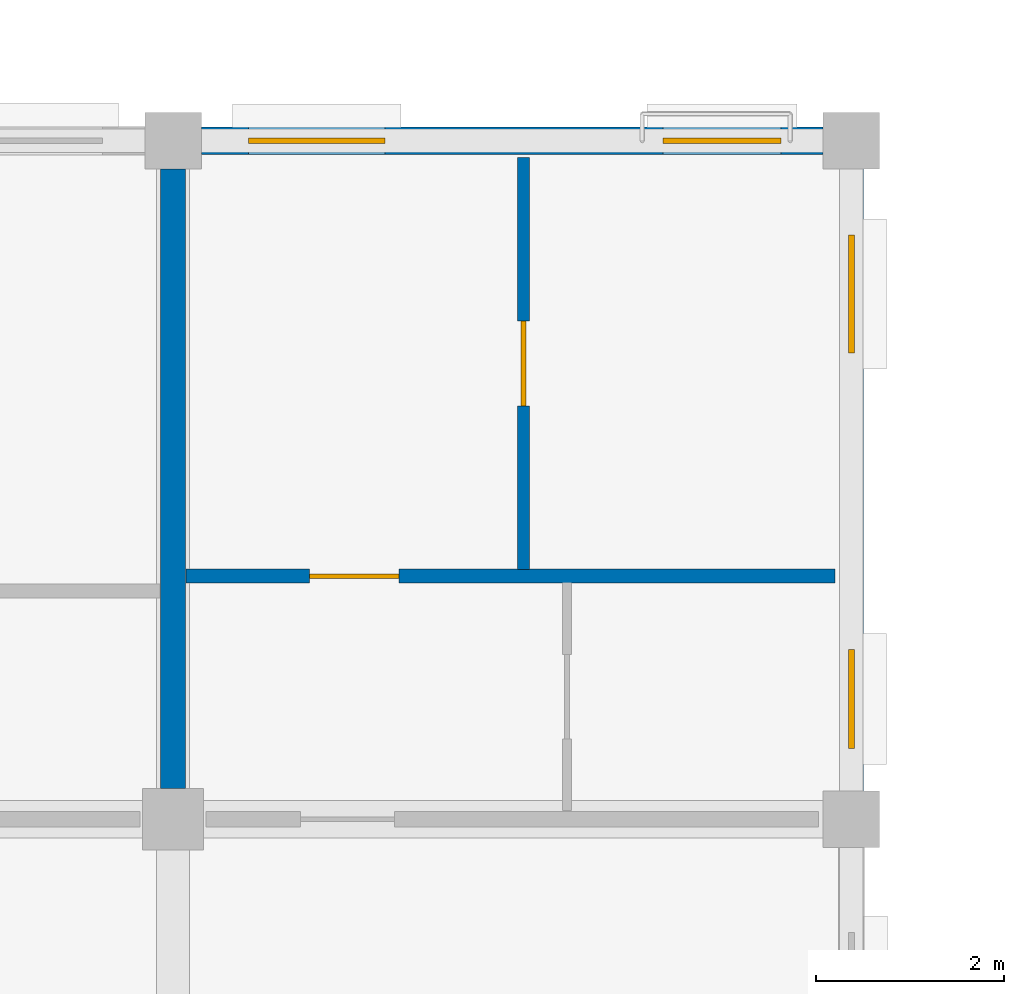
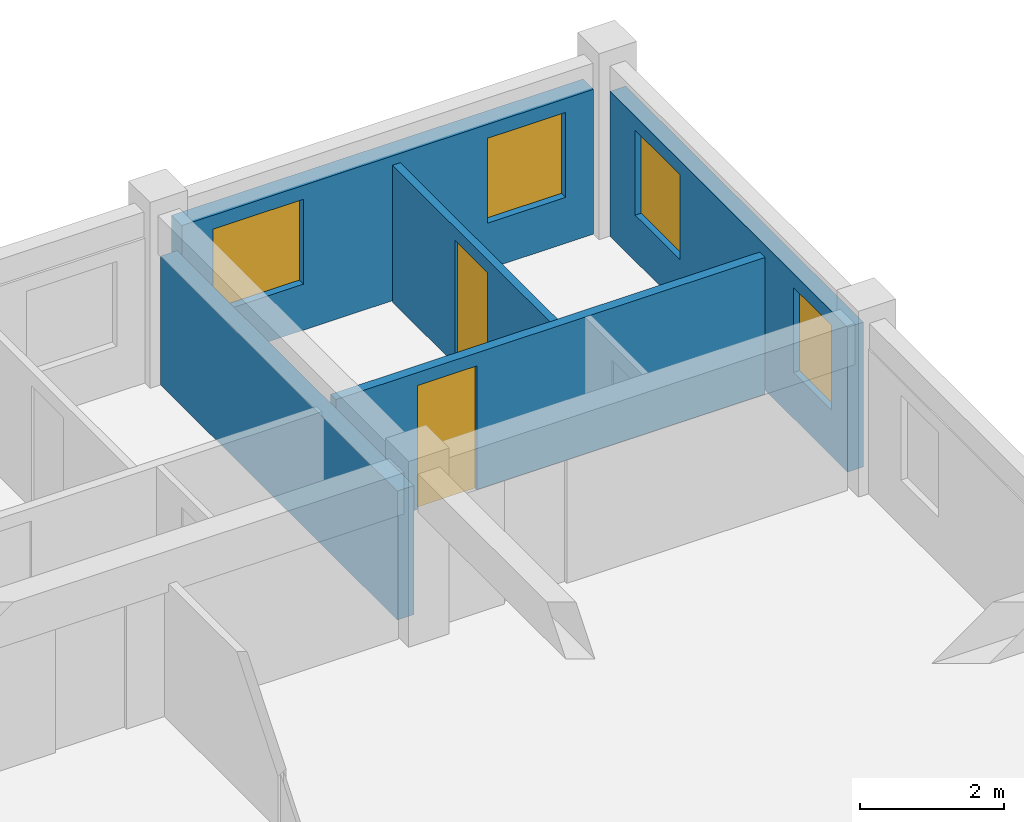
# One storey, part 113 of 124: 5 walls, 4 windows, 2 doors, 6 openings.
"""IFC4 building model written with IfcOpenShell, lengths in metres."""

from ifc_helpers import new_model, si_unit, direction, frame, frame_2d, origin, place, context, subcontext, project, spatial, rectangle, extrude, material, layer, layer_set, type_object, element, fill, save


model = new_model("IFC4")

# Units and contexts
model_context = context("Model", 3, precision=1e-05, world=origin(), true_north=direction((0.0, 1.0)))
body_context = subcontext(model_context, "Body", "Model", "MODEL_VIEW")
ifc_project = project(units=[si_unit("LENGTHUNIT", "METRE"), si_unit("AREAUNIT", "SQUARE_METRE"), si_unit("VOLUMEUNIT", "CUBIC_METRE"), si_unit("PLANEANGLEUNIT", "RADIAN"), si_unit("MASSUNIT", "GRAM", prefix="KILO"), si_unit("THERMODYNAMICTEMPERATUREUNIT", "KELVIN"), si_unit("POWERUNIT", "WATT")], contexts=[model_context])

# Site, building, storey
site_placement = place(None, origin())
site = spatial("IfcSite", under=ifc_project, at=site_placement, CompositionType="ELEMENT")
building_placement = place(site_placement, origin())
building = spatial("IfcBuilding", under=site, at=building_placement, Name="Tavuni Mirador Residences", CompositionType="ELEMENT")
storey_placement = place(building_placement, frame((0.0, 0.0, 7.64990234375)))
storey = spatial("IfcBuildingStorey", under=building, at=storey_placement, Name="L02", CompositionType="ELEMENT", Elevation=7.64990234375)

# Wall, openings, windows
ifc_material_1 = material(Name="Sgraffito lime-rendered precast concrete C40/50", Category="concrete")
ifc_layer_1 = layer(ifc_material_1, 0.2548828125, Name="Sgraffito lime-rendered precast concrete C40/50", Category="concrete")
ifc_layer_set_1 = layer_set([ifc_layer_1], Name="Sgraffito lime-rendered precast concrete C40/50")
wall_type_1 = type_object("IfcWallType", Name="WT-EXT-PC255", PredefinedType="SOLIDWALL", material=ifc_layer_set_1)
wall_1_placement = place(storey_placement, frame((75.60009765625, 165.89990234375, 0.0), z_axis=(0.0, 0.0, 1.0), x_axis=(0.0, 1.0, 0.0)))
wall_1 = element("IfcWall", 1, at=wall_1_placement, inside=storey, type_object=wall_type_1, Name="EW-BLK-C-L02-E03", PredefinedType="SOLIDWALL", context=body_context, shape_type="SweptSolid", body=[
    extrude(rectangle(XDim=6.60009765625, YDim=0.2548828125, at=frame_2d((3.300048828125, 0.0))), origin(), (0.0, 0.0, 1.0), 2.455078125),
])
opening_1_placement = place(wall_1_placement, frame((0.449951171875, 0.0, 0.780029296875)))
opening_1 = element("IfcOpeningElement", 2, at=opening_1_placement, cuts=wall_1, Name="Opening WN-26", PredefinedType="OPENING", context=body_context, shape_type="SweptSolid", body=[
    extrude(rectangle(XDim=1.050048828125, YDim=1.43994140625, at=frame_2d((0.52490234375, 0.719970703125))), frame((0.0, 0.137451171875, 0.0), z_axis=(0.0, -1.0, 0.0), x_axis=(1.0, 0.0, 0.0)), (0.0, 0.0, 1.0), 0.27490234375),
])
opening_2_placement = place(wall_1_placement, frame((4.64990234375, 0.0, 0.780029296875)))
opening_2 = element("IfcOpeningElement", 3, at=opening_2_placement, cuts=wall_1, Name="Opening WN-28", PredefinedType="OPENING", context=body_context, shape_type="SweptSolid", body=[
    extrude(rectangle(XDim=1.25, YDim=1.43994140625, at=frame_2d((0.625, 0.719970703125))), frame((0.0, 0.137451171875, 0.0), z_axis=(0.0, -1.0, 0.0), x_axis=(1.0, 0.0, 0.0)), (0.0, 0.0, 1.0), 0.27490234375),
])
ifc_material_2 = material(Name="Laminated solar-control glass", Category="glass")
window_type_1 = type_object("IfcWindowType", Name="WNT-26", PartitioningType="SINGLE_PANEL", PredefinedType="WINDOW", material=ifc_material_2)
window_1_placement = place(opening_1_placement, origin())
window_1 = element("IfcWindow", 4, at=window_1_placement, inside=storey, type_object=window_type_1, Name="WIN-0923", OverallHeight=1.43994140625, OverallWidth=1.050048828125, PartitioningType="SINGLE_PANEL", PredefinedType="WINDOW", context=body_context, shape_type="SweptSolid", body=[
    extrude(rectangle(XDim=1.050048828125, YDim=1.43994140625, at=frame_2d((0.52490234375, 0.719970703125))), frame((0.0, 0.030029296875, 0.0), z_axis=(0.0, -1.0, 0.0), x_axis=(1.0, 0.0, 0.0)), (0.0, 0.0, 1.0), 0.06005859375),
])
fill(opening_1, window_1)
window_type_2 = type_object("IfcWindowType", Name="WNT-28", PartitioningType="SINGLE_PANEL", PredefinedType="WINDOW", material=ifc_material_2)
window_2_placement = place(opening_2_placement, origin())
window_2 = element("IfcWindow", 5, at=window_2_placement, inside=storey, type_object=window_type_2, Name="WIN-0924", OverallHeight=1.43994140625, OverallWidth=1.25, PartitioningType="SINGLE_PANEL", PredefinedType="WINDOW", context=body_context, shape_type="SweptSolid", body=[
    extrude(rectangle(XDim=1.25, YDim=1.43994140625, at=frame_2d((0.625, 0.719970703125))), frame((0.0, 0.030029296875, 0.0), z_axis=(0.0, -1.0, 0.0), x_axis=(1.0, 0.0, 0.0)), (0.0, 0.0, 1.0), 0.06005859375),
])
fill(opening_2, window_2)

ifc_layer_2 = layer(ifc_material_1, 0.2900390625, Name="Sgraffito lime-rendered precast concrete C40/50", Category="concrete")
ifc_layer_set_2 = layer_set([ifc_layer_2], Name="Sgraffito lime-rendered precast concrete C40/50")
wall_type_2 = type_object("IfcWallType", Name="WT-EXT-PC290", PredefinedType="SOLIDWALL", material=ifc_layer_set_2)
wall_2_placement = place(storey_placement, frame((75.300048828125, 172.800048828125, 0.0), z_axis=(0.0, 0.0, 1.0), x_axis=(-1.0, 0.0, 0.0)))
wall_2 = element("IfcWall", 6, at=wall_2_placement, inside=storey, type_object=wall_type_2, Name="EW-BLK-C-L02-N08", PredefinedType="SOLIDWALL", context=body_context, shape_type="SweptSolid", body=[
    extrude(rectangle(XDim=6.60009765625, YDim=0.2900390625, at=frame_2d((3.300048828125, 0.0))), origin(), (0.0, 0.0, 1.0), 2.455078125),
])
opening_3_placement = place(wall_2_placement, frame((0.449951171875, 0.0, 0.780029296875)))
opening_3 = element("IfcOpeningElement", 7, at=opening_3_placement, cuts=wall_2, Name="Opening WN-28", PredefinedType="OPENING", context=body_context, shape_type="SweptSolid", body=[
    extrude(rectangle(XDim=1.25, YDim=1.43994140625, at=frame_2d((0.625, 0.719970703125))), frame((0.0, 0.155029296875, 0.0), z_axis=(0.0, -1.0, 0.0), x_axis=(1.0, 0.0, 0.0)), (0.0, 0.0, 1.0), 0.31005859375),
])
opening_4_placement = place(wall_2_placement, frame((4.64990234375, 0.0, 0.780029296875)))
opening_4 = element("IfcOpeningElement", 8, at=opening_4_placement, cuts=wall_2, Name="Opening WN-30", PredefinedType="OPENING", context=body_context, shape_type="SweptSolid", body=[
    extrude(rectangle(XDim=1.449951171875, YDim=1.43994140625, at=frame_2d((0.72509765625, 0.719970703125))), frame((0.0, 0.155029296875, 0.0), z_axis=(0.0, -1.0, 0.0), x_axis=(1.0, 0.0, 0.0)), (0.0, 0.0, 1.0), 0.31005859375),
])
window_3_placement = place(opening_3_placement, origin())
window_3 = element("IfcWindow", 9, at=window_3_placement, inside=storey, type_object=window_type_2, Name="WIN-0925", OverallHeight=1.43994140625, OverallWidth=1.25, PartitioningType="SINGLE_PANEL", PredefinedType="WINDOW", context=body_context, shape_type="SweptSolid", body=[
    extrude(rectangle(XDim=1.25, YDim=1.43994140625, at=frame_2d((0.625, 0.719970703125))), frame((0.0, 0.030029296875, 0.0), z_axis=(0.0, -1.0, 0.0), x_axis=(1.0, 0.0, 0.0)), (0.0, 0.0, 1.0), 0.06005859375),
])
fill(opening_3, window_3)
window_type_3 = type_object("IfcWindowType", Name="WNT-30", PartitioningType="SINGLE_PANEL", PredefinedType="WINDOW", material=ifc_material_2)
window_4_placement = place(opening_4_placement, origin())
window_4 = element("IfcWindow", 10, at=window_4_placement, inside=storey, type_object=window_type_3, Name="WIN-0926", OverallHeight=1.43994140625, OverallWidth=1.449951171875, PartitioningType="SINGLE_PANEL", PredefinedType="WINDOW", context=body_context, shape_type="SweptSolid", body=[
    extrude(rectangle(XDim=1.449951171875, YDim=1.43994140625, at=frame_2d((0.72509765625, 0.719970703125))), frame((0.0, 0.030029296875, 0.0), z_axis=(0.0, -1.0, 0.0), x_axis=(1.0, 0.0, 0.0)), (0.0, 0.0, 1.0), 0.06005859375),
])
fill(opening_4, window_4)

# Wall, opening, door
ifc_material_3 = material(Name="Acoustic gypsum and concrete block partition", Category="concrete")
ifc_layer_3 = layer(ifc_material_3, 0.125, Name="Acoustic gypsum and concrete block partition", Category="concrete")
ifc_layer_set_3 = layer_set([ifc_layer_3], Name="Acoustic gypsum and concrete block partition")
wall_type_3 = type_object("IfcWallType", Name="WT-PART125", PredefinedType="PARTITIONING", material=ifc_layer_set_3)
wall_3_placement = place(storey_placement, frame((72.1201171875, 168.25, 0.0), z_axis=(0.0, 0.0, 1.0), x_axis=(0.0, 1.0, 0.0)))
wall_3 = element("IfcWall", 11, at=wall_3_placement, inside=storey, type_object=wall_type_3, Name="PW-BLK-C-L02-N08-OUT", PredefinedType="PARTITIONING", context=body_context, shape_type="SweptSolid", body=[
    extrude(rectangle(XDim=4.375, YDim=0.125, at=frame_2d((2.1875, 0.0))), origin(), (0.0, 0.0, 1.0), 2.320068359375),
])
opening_5_placement = place(wall_3_placement, frame((1.737548828125, 0.0, 0.0)))
opening_5 = element("IfcOpeningElement", 12, at=opening_5_placement, cuts=wall_3, Name="Opening D-07", PredefinedType="OPENING", context=body_context, shape_type="SweptSolid", body=[
    extrude(rectangle(XDim=0.89990234375, YDim=2.10009765625, at=frame_2d((0.449951171875, 1.050048828125))), frame((0.0, 0.072509765625, 0.0), z_axis=(0.0, -1.0, 0.0), x_axis=(1.0, 0.0, 0.0)), (0.0, 0.0, 1.0), 0.14501953125),
])
ifc_material_4 = material(Name="Solid core iroko timber", Category="wood")
door_type_1 = type_object("IfcDoorType", Name="DT-BED900", OperationType="NOTDEFINED", PredefinedType="DOOR", material=ifc_material_4)
door_1_placement = place(opening_5_placement, origin())
door_1 = element("IfcDoor", 13, at=door_1_placement, inside=storey, type_object=door_type_1, Name="DR-3792", OperationType="SINGLE_SWING_RIGHT", OverallHeight=2.10009765625, OverallWidth=0.89990234375, PredefinedType="DOOR", context=body_context, shape_type="SweptSolid", body=[
    extrude(rectangle(XDim=0.89990234375, YDim=2.10009765625, at=frame_2d((0.449951171875, 1.050048828125))), frame((0.0, 0.02490234375, 0.0), z_axis=(0.0, -1.0, 0.0), x_axis=(1.0, 0.0, 0.0)), (0.0, 0.0, 1.0), 0.050048828125),
])
fill(opening_5, door_1)

ifc_layer_4 = layer(ifc_material_3, 0.14990234375, Name="Acoustic gypsum and concrete block partition", Category="concrete")
ifc_layer_set_4 = layer_set([ifc_layer_4], Name="Acoustic gypsum and concrete block partition")
wall_type_4 = type_object("IfcWallType", Name="WT-PART150", PredefinedType="PARTITIONING", material=ifc_layer_set_4)
wall_4_placement = place(storey_placement, frame((68.5400390625, 168.179931640625, 0.0), z_axis=(0.0, 0.0, 1.0), x_axis=(1.0, 0.0, 0.0)))
wall_4 = element("IfcWall", 14, at=wall_4_placement, inside=storey, type_object=wall_type_4, Name="PW-BLK-C-L02-N08-MID", PredefinedType="PARTITIONING", context=body_context, shape_type="SweptSolid", body=[
    extrude(rectangle(XDim=6.885009765625, YDim=0.14990234375, at=frame_2d((3.4423828125, 0.0))), origin(), (0.0, 0.0, 1.0), 2.320068359375),
])
opening_6_placement = place(wall_4_placement, frame((1.31005859375, 0.0, 0.0)))
opening_6 = element("IfcOpeningElement", 15, at=opening_6_placement, cuts=wall_4, Name="Opening D-05", PredefinedType="OPENING", context=body_context, shape_type="SweptSolid", body=[
    extrude(rectangle(XDim=0.949951171875, YDim=2.10009765625, at=frame_2d((0.47509765625, 1.050048828125))), frame((0.0, 0.0849609375, 0.0), z_axis=(0.0, -1.0, 0.0), x_axis=(1.0, 0.0, 0.0)), (0.0, 0.0, 1.0), 0.169921875),
])
door_type_2 = type_object("IfcDoorType", Name="DT-INT950", OperationType="NOTDEFINED", PredefinedType="DOOR", material=ifc_material_4)
door_2_placement = place(opening_6_placement, origin())
door_2 = element("IfcDoor", 16, at=door_2_placement, inside=storey, type_object=door_type_2, Name="DR-3794", OperationType="SINGLE_SWING_LEFT", OverallHeight=2.10009765625, OverallWidth=0.949951171875, PredefinedType="DOOR", context=body_context, shape_type="SweptSolid", body=[
    extrude(rectangle(XDim=0.949951171875, YDim=2.10009765625, at=frame_2d((0.47509765625, 1.050048828125))), frame((0.0, 0.02490234375, 0.0), z_axis=(0.0, -1.0, 0.0), x_axis=(1.0, 0.0, 0.0)), (0.0, 0.0, 1.0), 0.050048828125),
])
fill(opening_6, door_2)

# Wall
ifc_material_5 = material(Name="Precast concrete C40/50", Category="concrete")
ifc_layer_5 = layer(ifc_material_5, 0.264892578125, Name="Precast concrete C40/50", Category="concrete")
ifc_layer_set_5 = layer_set([ifc_layer_5], Name="Precast concrete C40/50")
wall_type_5 = type_object("IfcWallType", Name="WT-XW265", PredefinedType="SOLIDWALL", material=ifc_layer_set_5)
wall_5_placement = place(storey_placement, frame((68.39990234375, 165.925048828125, 0.0), z_axis=(0.0, 0.0, 1.0), x_axis=(0.0, 1.0, 0.0)))
element("IfcWall", 17, at=wall_5_placement, inside=storey, type_object=wall_type_5, Name="XW-BLK-C-L02-N-08", PredefinedType="SOLIDWALL", context=body_context, shape_type="SweptSolid", body=[
    extrude(rectangle(XDim=6.574951171875, YDim=0.264892578125, at=frame_2d((3.28759765625, 0.0))), origin(), (0.0, 0.0, 1.0), 2.18505859375),
])

save(model, "model.ifc")
